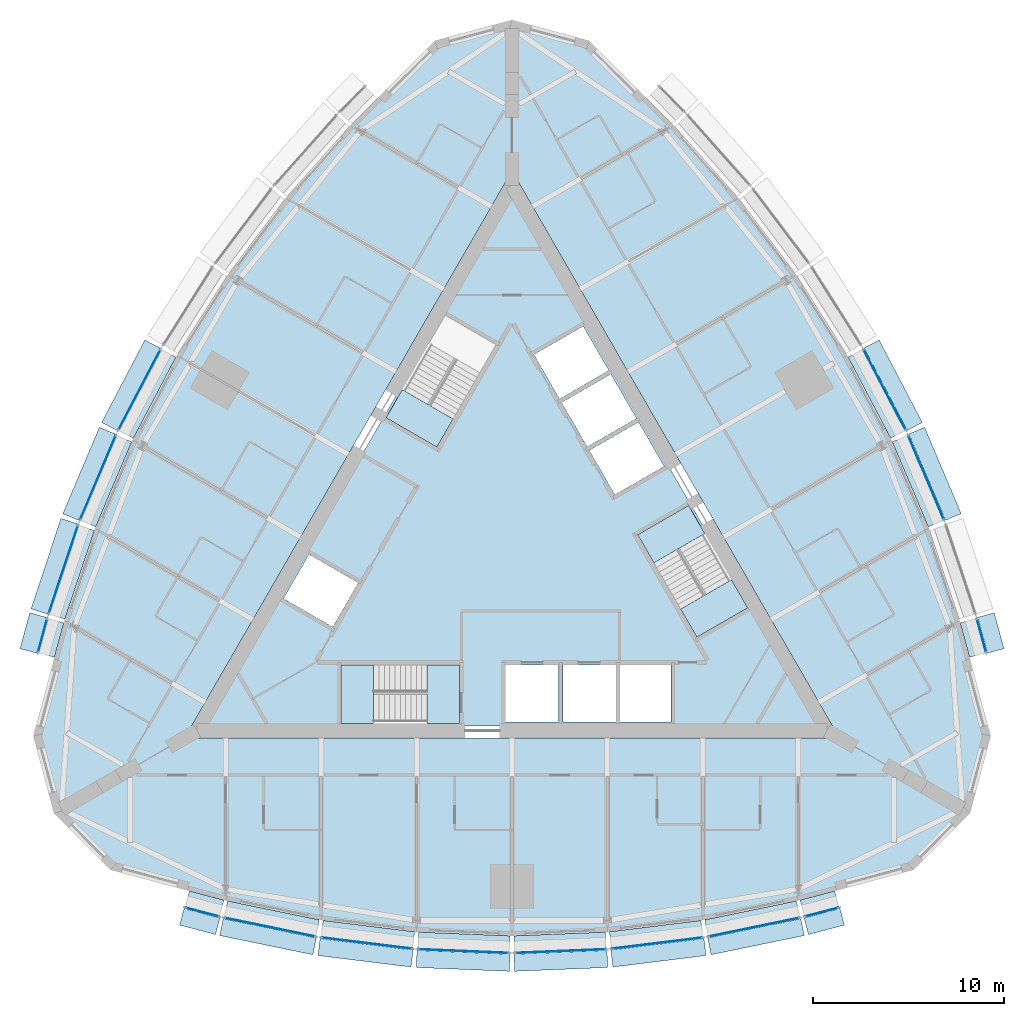
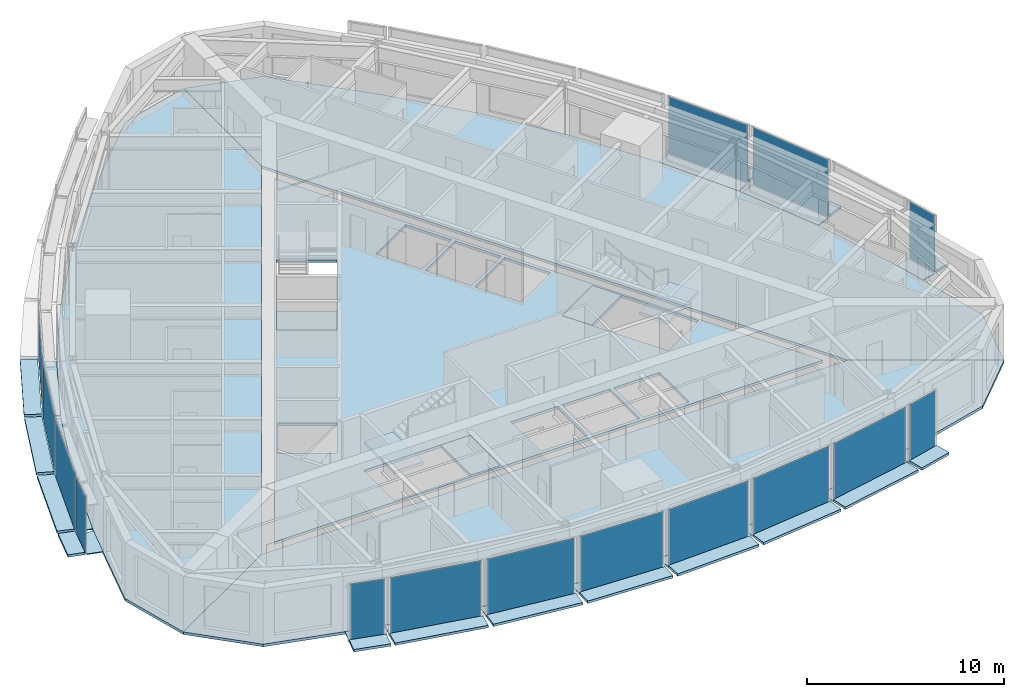
# One storey, part 7 of 15: 45 plates, 9 slabs, 18 elements without a shape of their own.
"""IFC4 building model written with IfcOpenShell, lengths in metres."""

from ifc_helpers import new_model, si_unit, direction, frame, origin, origin_2d, place, context, subcontext, project, spatial, polyline, rectangle, outline, extrude, material, layer, layer_set, type_object, element, aggregate, save


model = new_model("IFC4")

# Units and contexts
model_context = context("Model", 3, precision=1e-05, world=origin(), true_north=direction((0.0, 1.0)))
body_context = subcontext(model_context, "Body", "Model", "MODEL_VIEW")
ifc_project = project(units=[si_unit("LENGTHUNIT", "METRE"), si_unit("AREAUNIT", "SQUARE_METRE"), si_unit("VOLUMEUNIT", "CUBIC_METRE"), si_unit("PLANEANGLEUNIT", "RADIAN"), si_unit("MASSUNIT", "GRAM", prefix="KILO")], contexts=[model_context])

# Site, building, storey
site_placement = place(None, origin())
site = spatial("IfcSite", under=ifc_project, at=site_placement, CompositionType="ELEMENT")
building_placement = place(site_placement, origin())
building = spatial("IfcBuilding", under=site, at=building_placement, Name="Trikona Tower", CompositionType="ELEMENT")
storey_placement = place(building_placement, frame((0.0, 0.0, 211.699951171875)))
storey = spatial("IfcBuildingStorey", under=building, at=storey_placement, Name="L56", CompositionType="ELEMENT", Elevation=211.699951171875)

# Plates
ifc_material_1 = material(Name="Aluminium bar grating", Category="aluminium")
ifc_layer_1 = layer(ifc_material_1, 0.050048828125)
ifc_layer_set_1 = layer_set([ifc_layer_1], Name="Cavity catwalk grating")
plate_type_1 = type_object("IfcPlateType", Name="Cavity catwalk grating", PredefinedType="USERDEFINED", material=ifc_layer_set_1)
plate_1_placement = place(storey_placement, frame((-16.10693359375, -18.5673828125, -0.0498046875), z_axis=(0.0, 0.0, 1.0), x_axis=(0.966993038714, -0.254802792527, 0.0)))
element("IfcPlate", 1, at=plate_1_placement, inside=storey, type_object=plate_type_1, Name="Cavity catwalk L56-00", ObjectType="CATWALK GRATING", PredefinedType="USERDEFINED", context=body_context, shape_type="SweptSolid", body=[
    extrude(rectangle(XDim=1.868408203125, YDim=0.840087890625, at=origin_2d()), origin(), (0.0, 0.0, 1.0), 0.050048828125),
])
plate_2_placement = place(storey_placement, frame((-12.584716796875, -19.35107421875, -0.0498046875), z_axis=(0.0, 0.0, 1.0), x_axis=(0.979457514864, -0.201650629992, 0.0)))
element("IfcPlate", 2, at=plate_2_placement, inside=storey, type_object=plate_type_1, Name="Cavity catwalk L56-01", ObjectType="CATWALK GRATING", PredefinedType="USERDEFINED", context=body_context, shape_type="SweptSolid", body=[
    extrude(rectangle(XDim=4.90478515625, YDim=0.840087890625, at=origin_2d()), origin(), (0.0, 0.0, 1.0), 0.050048828125),
])
plate_3_placement = place(storey_placement, frame((-7.551513671875, -20.179931640625, -0.0498046875), z_axis=(0.0, 0.0, 1.0), x_axis=(0.992455266199, -0.122607277901, 0.0)))
element("IfcPlate", 3, at=plate_3_placement, inside=storey, type_object=plate_type_1, Name="Cavity catwalk L56-02", ObjectType="CATWALK GRATING", PredefinedType="USERDEFINED", context=body_context, shape_type="SweptSolid", body=[
    extrude(rectangle(XDim=4.837890625, YDim=0.840087890625, at=origin_2d()), origin(), (0.0, 0.0, 1.0), 0.050048828125),
])
for number, where, z_axis, x_axis, name in (
    (4, (-2.517333984375, -20.594482421875, -0.0498046875), (0.0, 0.0, 1.0), (0.999153186307, -0.041144991109, 0.0), "Cavity catwalk L56-03"),
    (5, (2.517333984375, -20.594482421875, -0.0498046875), (0.0, 0.0, 1.0), (0.999153186307, 0.041144991109, 0.0), "Cavity catwalk L56-04"),
):
    element("IfcPlate", number, at=place(storey_placement, frame(where, z_axis=z_axis, x_axis=x_axis)), inside=storey, type_object=plate_type_1, Name=name, ObjectType="CATWALK GRATING", PredefinedType="USERDEFINED", context=body_context, shape_type="SweptSolid", body=[
        extrude(rectangle(XDim=4.80419921875, YDim=0.840087890625, at=origin_2d()), origin(), (0.0, 0.0, 1.0), 0.050048828125),
    ])
plate_4_placement = place(storey_placement, frame((7.551513671875, -20.179931640625, -0.0498046875), z_axis=(0.0, 0.0, 1.0), x_axis=(0.992455266199, 0.122607277901, 0.0)))
element("IfcPlate", 6, at=plate_4_placement, inside=storey, type_object=plate_type_1, Name="Cavity catwalk L56-05", ObjectType="CATWALK GRATING", PredefinedType="USERDEFINED", context=body_context, shape_type="SweptSolid", body=[
    extrude(rectangle(XDim=4.837890625, YDim=0.840087890625, at=origin_2d()), origin(), (0.0, 0.0, 1.0), 0.050048828125),
])
plate_5_placement = place(storey_placement, frame((12.584716796875, -19.35107421875, -0.0498046875), z_axis=(0.0, 0.0, 1.0), x_axis=(0.979457514864, 0.201650629992, 0.0)))
element("IfcPlate", 7, at=plate_5_placement, inside=storey, type_object=plate_type_1, Name="Cavity catwalk L56-06", ObjectType="CATWALK GRATING", PredefinedType="USERDEFINED", context=body_context, shape_type="SweptSolid", body=[
    extrude(rectangle(XDim=4.90478515625, YDim=0.840087890625, at=origin_2d()), origin(), (0.0, 0.0, 1.0), 0.050048828125),
])
for number, where, z_axis, x_axis, name in (
    (8, (16.10693359375, -18.5673828125, -0.0498046875), (0.0, 0.0, 1.0), (0.966993038714, 0.254802792527, 0.0), "Cavity catwalk L56-07"),
    (9, (24.13330078125, -4.665283203125, -0.0498046875), (0.0, 0.0, 1.0), (-0.262822408229, 0.964844226667, 0.0), "Cavity catwalk L56-12"),
):
    element("IfcPlate", number, at=place(storey_placement, frame(where, z_axis=z_axis, x_axis=x_axis)), inside=storey, type_object=plate_type_1, Name=name, ObjectType="CATWALK GRATING", PredefinedType="USERDEFINED", context=body_context, shape_type="SweptSolid", body=[
        extrude(rectangle(XDim=1.868408203125, YDim=0.840087890625, at=origin_2d()), origin(), (0.0, 0.0, 1.0), 0.050048828125),
    ])
plate_6_placement = place(storey_placement, frame((21.252197265625, 3.55029296875, -0.0498046875), z_axis=(0.0, 0.0, 1.0), x_axis=(-0.390051437015, 0.920793069306, 0.0)))
element("IfcPlate", 10, at=plate_6_placement, inside=storey, type_object=plate_type_1, Name="Cavity catwalk L56-14", ObjectType="CATWALK GRATING", PredefinedType="USERDEFINED", context=body_context, shape_type="SweptSolid", body=[
    extrude(rectangle(XDim=4.837890625, YDim=0.840087890625, at=origin_2d()), origin(), (0.0, 0.0, 1.0), 0.050048828125),
])
for number, where, z_axis, x_axis, name in (
    (11, (19.093994140625, 8.1171875, -0.0498046875), (0.0, 0.0, 1.0), (-0.463951716224, 0.885860488459, 0.0), "Cavity catwalk L56-15"),
    (12, (-19.093994140625, 8.1171875, -0.0498046875), (0.0, 0.0, 1.0), (-0.463951716224, -0.885860488459, 0.0), "Cavity catwalk L56-28"),
):
    element("IfcPlate", number, at=place(storey_placement, frame(where, z_axis=z_axis, x_axis=x_axis)), inside=storey, type_object=plate_type_1, Name=name, ObjectType="CATWALK GRATING", PredefinedType="USERDEFINED", context=body_context, shape_type="SweptSolid", body=[
        extrude(rectangle(XDim=4.80419921875, YDim=0.840087890625, at=origin_2d()), origin(), (0.0, 0.0, 1.0), 0.050048828125),
    ])
plate_7_placement = place(storey_placement, frame((-21.252197265625, 3.55029296875, -0.0498046875), z_axis=(0.0, 0.0, 1.0), x_axis=(-0.390051437015, -0.920793069306, 0.0)))
element("IfcPlate", 13, at=plate_7_placement, inside=storey, type_object=plate_type_1, Name="Cavity catwalk L56-29", ObjectType="CATWALK GRATING", PredefinedType="USERDEFINED", context=body_context, shape_type="SweptSolid", body=[
    extrude(rectangle(XDim=4.837890625, YDim=0.840087890625, at=origin_2d()), origin(), (0.0, 0.0, 1.0), 0.050048828125),
])
plate_8_placement = place(storey_placement, frame((-23.05078125, -1.22314453125, -0.0498046875), z_axis=(0.0, 0.0, 1.0), x_axis=(-0.315092532747, -0.949060954737, 0.0)))
element("IfcPlate", 14, at=plate_8_placement, inside=storey, type_object=plate_type_1, Name="Cavity catwalk L56-30", ObjectType="CATWALK GRATING", PredefinedType="USERDEFINED", context=body_context, shape_type="SweptSolid", body=[
    extrude(rectangle(XDim=4.90478515625, YDim=0.840087890625, at=origin_2d()), origin(), (0.0, 0.0, 1.0), 0.050048828125),
])
plate_9_placement = place(storey_placement, frame((-24.13330078125, -4.665283203125, -0.0498046875), z_axis=(0.0, 0.0, 1.0), x_axis=(-0.262822408229, -0.964844226667, 0.0)))
element("IfcPlate", 15, at=plate_9_placement, inside=storey, type_object=plate_type_1, Name="Cavity catwalk L56-31", ObjectType="CATWALK GRATING", PredefinedType="USERDEFINED", context=body_context, shape_type="SweptSolid", body=[
    extrude(rectangle(XDim=1.868408203125, YDim=0.840087890625, at=origin_2d()), origin(), (0.0, 0.0, 1.0), 0.050048828125),
])

# Slabs
ifc_material_2 = material(Name="Concrete f'c 5000 psi lightweight on composite steel deck", Category="concrete")
ifc_layer_2 = layer(ifc_material_2, 0.1650390625)
ifc_layer_set_2 = layer_set([ifc_layer_2], Name="Composite floor slab 165")
slab_type_1 = type_object("IfcSlabType", Name="Composite floor slab 165", PredefinedType="FLOOR", material=ifc_layer_set_2)
slab_1_placement = place(storey_placement, frame((0.0, 0.0, -0.1650390625)))
element("IfcSlab", 16, at=slab_1_placement, inside=storey, type_object=slab_type_1, Name="Floor slab L56 core", PredefinedType="FLOOR", context=body_context, shape_type="SweptSolid", body=[
    extrude(outline(polyline([(-16.06689453125, -9.2763671875), (16.06689453125, -9.2763671875), (0.0, 18.552490234375), (-16.06689453125, -9.2763671875)]), holes=[polyline([(6.587158203125, 0.7431640625), (9.687255859375, -4.626220703125), (12.35009765625, -3.088623046875), (9.250244140625, 2.28076171875), (6.587158203125, 0.7431640625)]), polyline([(5.659912109375, -6.086181640625), (5.659912109375, -9.06640625), (8.340087890625, -9.06640625), (8.340087890625, -6.086181640625), (5.659912109375, -6.086181640625)]), polyline([(6.631591796875, 6.646240234375), (4.05078125, 5.15625), (5.390869140625, 2.835205078125), (7.9716796875, 4.3251953125), (6.631591796875, 6.646240234375)]), polyline([(6.521484375, 6.8369140625), (5.181640625, 9.15771484375), (2.600830078125, 7.667724609375), (3.94091796875, 5.3466796875), (6.521484375, 6.8369140625)]), polyline([(2.659912109375, -9.06640625), (5.43994140625, -9.06640625), (5.43994140625, -6.086181640625), (2.659912109375, -6.086181640625), (2.659912109375, -9.06640625)]), polyline([(2.490966796875, 7.858154296875), (5.071533203125, 9.34814453125), (3.731689453125, 11.669189453125), (1.15087890625, 10.17919921875), (2.490966796875, 7.858154296875)]), polyline([(2.43994140625, -9.06640625), (2.43994140625, -6.086181640625), (-0.340087890625, -6.086181640625), (-0.340087890625, -9.06640625), (2.43994140625, -9.06640625)]), polyline([(-3.937255859375, 5.3330078125), (-0.837158203125, 10.702392578125), (-3.500244140625, 12.239990234375), (-6.60009765625, 6.87060546875), (-3.937255859375, 5.3330078125)]), polyline([(-2.75, -6.076416015625), (-8.949951171875, -6.076416015625), (-8.949951171875, -9.1513671875), (-2.75, -9.1513671875), (-2.75, -6.076416015625)]), polyline([(-11.9716796875, -2.602783203125), (-9.390869140625, -4.093017578125), (-8.05078125, -1.77197265625), (-10.631591796875, -0.281982421875), (-11.9716796875, -2.602783203125)])]), origin(), (0.0, 0.0, 1.0), 0.1650390625),
])
slab_2_placement = place(storey_placement, frame((0.0, 0.0, -0.1650390625)))
element("IfcSlab", 17, at=slab_2_placement, inside=storey, type_object=slab_type_1, Name="Floor slab L56 south", PredefinedType="FLOOR", context=body_context, shape_type="SweptSolid", body=[
    extrude(outline(polyline([(21.04150390625, -16.81494140625), (24.0, -13.8564453125), (17.1494140625, -9.9013671875), (-17.1494140625, -9.9013671875), (-24.0, -13.8564453125), (-21.04150390625, -16.81494140625), (-17.0, -17.89794921875), (-15.0, -18.4248046875), (-10.0, -19.454345703125), (-5.0, -20.072021484375), (0.0, -20.27783203125), (5.0, -20.072021484375), (10.0, -19.454345703125), (15.0, -18.4248046875), (17.0, -17.89794921875), (21.04150390625, -16.81494140625)])), origin(), (0.0, 0.0, 1.0), 0.1650390625),
])
slab_3_placement = place(storey_placement, frame((0.0, 0.0, -0.1650390625)))
element("IfcSlab", 18, at=slab_3_placement, inside=storey, type_object=slab_type_1, Name="Floor slab L56 north-east", PredefinedType="FLOOR", context=body_context, shape_type="SweptSolid", body=[
    extrude(outline(polyline([(4.04150390625, 26.6298828125), (0.0, 27.712890625), (0.0, 19.802490234375), (17.1494140625, -9.9013671875), (24.0, -13.8564453125), (25.0830078125, -9.81494140625), (24.0, -5.7734375), (23.456298828125, -3.77783203125), (21.847900390625, 1.06689453125), (19.8828125, 5.705810546875), (17.56103515625, 10.138916015625), (14.8828125, 14.3662109375), (11.847900390625, 18.387451171875), (8.456298828125, 22.202880859375), (7.0, 23.67138671875), (4.04150390625, 26.6298828125)])), origin(), (0.0, 0.0, 1.0), 0.1650390625),
])
slab_4_placement = place(storey_placement, frame((0.0, 0.0, -0.1650390625)))
element("IfcSlab", 19, at=slab_4_placement, inside=storey, type_object=slab_type_1, Name="Floor slab L56 north-west", PredefinedType="FLOOR", context=body_context, shape_type="SweptSolid", body=[
    extrude(outline(polyline([(-7.0, 23.67138671875), (-8.456298828125, 22.202880859375), (-11.847900390625, 18.387451171875), (-14.8828125, 14.3662109375), (-17.56103515625, 10.138916015625), (-19.8828125, 5.705810546875), (-21.847900390625, 1.06689453125), (-23.456298828125, -3.77783203125), (-24.0, -5.7734375), (-25.0830078125, -9.81494140625), (-24.0, -13.8564453125), (-17.1494140625, -9.9013671875), (0.0, 19.802490234375), (0.0, 27.712890625), (-4.04150390625, 26.6298828125), (-7.0, 23.67138671875)])), origin(), (0.0, 0.0, 1.0), 0.1650390625),
])

# Curtain wall, plate
ifc_material_3 = material(Name="Aluminium curtain wall system", Category="aluminium")
curtain_wall_type = type_object("IfcCurtainWallType", Name="Curtain wall DS3", PredefinedType="NOTDEFINED", material=ifc_material_3)
curtain_wall_1_placement = place(storey_placement, origin())
curtain_wall_1 = element("IfcCurtainWall", 20, at=curtain_wall_1_placement, inside=storey, type_object=curtain_wall_type, Name="Curtain wall DS3 L56", PredefinedType="NOTDEFINED")
ifc_material_4 = material(Name="Laminated clear glass", Category="glass")
ifc_layer_3 = layer(ifc_material_4, 0.028076171875)
ifc_layer_set_3 = layer_set([ifc_layer_3], Name="Glass panel DS3")
plate_type_2 = type_object("IfcPlateType", Name="Glass panel DS3", PredefinedType="CURTAIN_PANEL", material=ifc_layer_set_3)
plate_10_placement = place(storey_placement, frame((-16.229248046875, -19.03173828125, 0.0), z_axis=(0.0, 0.0, 1.0), x_axis=(0.966997369647, -0.25478635579, 0.0)))
plate_10 = element("IfcPlate", 21, at=plate_10_placement, type_object=plate_type_2, Name="CW-DS3 panel 1.1", PredefinedType="CURTAIN_PANEL", context=body_context, shape_type="SweptSolid", body=[
    extrude(rectangle(XDim=1.808349609375, YDim=0.028076171875, at=origin_2d()), origin(), (0.0, 0.0, 1.0), 3.530029296875),
])
aggregate(curtain_wall_1, [plate_10])

curtain_wall_2_placement = place(storey_placement, origin())
curtain_wall_2 = element("IfcCurtainWall", 22, at=curtain_wall_2_placement, inside=storey, type_object=curtain_wall_type, Name="Curtain wall DS3 L56", PredefinedType="NOTDEFINED")
plate_11_placement = place(storey_placement, frame((-12.681396484375, -19.821044921875, 0.0), z_axis=(0.0, 0.0, 1.0), x_axis=(0.979457043256, -0.201652920672, 0.0)))
plate_11 = element("IfcPlate", 23, at=plate_11_placement, type_object=plate_type_2, Name="CW-DS3 panel 1.1", PredefinedType="CURTAIN_PANEL", context=body_context, shape_type="SweptSolid", body=[
    extrude(rectangle(XDim=4.8447265625, YDim=0.028076171875, at=origin_2d()), origin(), (0.0, 0.0, 1.0), 3.530029296875),
])
aggregate(curtain_wall_2, [plate_11])

curtain_wall_3_placement = place(storey_placement, origin())
curtain_wall_3 = element("IfcCurtainWall", 24, at=curtain_wall_3_placement, inside=storey, type_object=curtain_wall_type, Name="Curtain wall DS3 L56", PredefinedType="NOTDEFINED")
plate_12_placement = place(storey_placement, frame((-7.6103515625, -20.656494140625, 0.0), z_axis=(0.0, 0.0, 1.0), x_axis=(0.992454850785, -0.122610640458, 0.0)))
plate_12 = element("IfcPlate", 25, at=plate_12_placement, type_object=plate_type_2, Name="CW-DS3 panel 1.1", PredefinedType="CURTAIN_PANEL", context=body_context, shape_type="SweptSolid", body=[
    extrude(rectangle(XDim=4.778076171875, YDim=0.028076171875, at=origin_2d()), origin(), (0.0, 0.0, 1.0), 3.530029296875),
])
aggregate(curtain_wall_3, [plate_12])

curtain_wall_4_placement = place(storey_placement, origin())
curtain_wall_4 = element("IfcCurtainWall", 26, at=curtain_wall_4_placement, inside=storey, type_object=curtain_wall_type, Name="Curtain wall DS3 L56", PredefinedType="NOTDEFINED")
plate_13_placement = place(storey_placement, frame((-2.537109375, -21.07421875, 0.0), z_axis=(0.0, 0.0, 1.0), x_axis=(0.999152865157, -0.04115278907, 0.0)))
plate_13 = element("IfcPlate", 27, at=plate_13_placement, type_object=plate_type_2, Name="CW-DS3 panel 1.1", PredefinedType="CURTAIN_PANEL", context=body_context, shape_type="SweptSolid", body=[
    extrude(rectangle(XDim=4.744140625, YDim=0.028076171875, at=origin_2d()), origin(), (0.0, 0.0, 1.0), 3.530029296875),
])
aggregate(curtain_wall_4, [plate_13])

curtain_wall_5_placement = place(storey_placement, origin())
curtain_wall_5 = element("IfcCurtainWall", 28, at=curtain_wall_5_placement, inside=storey, type_object=curtain_wall_type, Name="Curtain wall DS3 L56", PredefinedType="NOTDEFINED")
plate_14_placement = place(storey_placement, frame((2.537109375, -21.07421875, 0.0), z_axis=(0.0, 0.0, 1.0), x_axis=(0.999152865157, 0.04115278907, 0.0)))
plate_14 = element("IfcPlate", 29, at=plate_14_placement, type_object=plate_type_2, Name="CW-DS3 panel 1.1", PredefinedType="CURTAIN_PANEL", context=body_context, shape_type="SweptSolid", body=[
    extrude(rectangle(XDim=4.744140625, YDim=0.028076171875, at=origin_2d()), origin(), (0.0, 0.0, 1.0), 3.530029296875),
])
aggregate(curtain_wall_5, [plate_14])

curtain_wall_6_placement = place(storey_placement, origin())
curtain_wall_6 = element("IfcCurtainWall", 30, at=curtain_wall_6_placement, inside=storey, type_object=curtain_wall_type, Name="Curtain wall DS3 L56", PredefinedType="NOTDEFINED")
plate_15_placement = place(storey_placement, frame((7.6103515625, -20.656494140625, 0.0), z_axis=(0.0, 0.0, 1.0), x_axis=(0.992454850785, 0.122610640458, 0.0)))
plate_15 = element("IfcPlate", 31, at=plate_15_placement, type_object=plate_type_2, Name="CW-DS3 panel 1.1", PredefinedType="CURTAIN_PANEL", context=body_context, shape_type="SweptSolid", body=[
    extrude(rectangle(XDim=4.778076171875, YDim=0.028076171875, at=origin_2d()), origin(), (0.0, 0.0, 1.0), 3.530029296875),
])
aggregate(curtain_wall_6, [plate_15])

curtain_wall_7_placement = place(storey_placement, origin())
curtain_wall_7 = element("IfcCurtainWall", 32, at=curtain_wall_7_placement, inside=storey, type_object=curtain_wall_type, Name="Curtain wall DS3 L56", PredefinedType="NOTDEFINED")
plate_16_placement = place(storey_placement, frame((12.681396484375, -19.821044921875, 0.0), z_axis=(0.0, 0.0, 1.0), x_axis=(0.979457043256, 0.201652920672, 0.0)))
plate_16 = element("IfcPlate", 33, at=plate_16_placement, type_object=plate_type_2, Name="CW-DS3 panel 1.1", PredefinedType="CURTAIN_PANEL", context=body_context, shape_type="SweptSolid", body=[
    extrude(rectangle(XDim=4.8447265625, YDim=0.028076171875, at=origin_2d()), origin(), (0.0, 0.0, 1.0), 3.530029296875),
])
aggregate(curtain_wall_7, [plate_16])

curtain_wall_8_placement = place(storey_placement, origin())
curtain_wall_8 = element("IfcCurtainWall", 34, at=curtain_wall_8_placement, inside=storey, type_object=curtain_wall_type, Name="Curtain wall DS3 L56", PredefinedType="NOTDEFINED")
plate_17_placement = place(storey_placement, frame((16.229248046875, -19.03173828125, 0.0), z_axis=(0.0, 0.0, 1.0), x_axis=(0.966997369647, 0.25478635579, 0.0)))
plate_17 = element("IfcPlate", 35, at=plate_17_placement, type_object=plate_type_2, Name="CW-DS3 panel 1.1", PredefinedType="CURTAIN_PANEL", context=body_context, shape_type="SweptSolid", body=[
    extrude(rectangle(XDim=1.808349609375, YDim=0.028076171875, at=origin_2d()), origin(), (0.0, 0.0, 1.0), 3.530029296875),
])
aggregate(curtain_wall_8, [plate_17])

curtain_wall_9_placement = place(storey_placement, origin())
curtain_wall_9 = element("IfcCurtainWall", 36, at=curtain_wall_9_placement, inside=storey, type_object=curtain_wall_type, Name="Curtain wall DS3 L56", PredefinedType="NOTDEFINED")
plate_18_placement = place(storey_placement, frame((24.596435546875, -4.539306640625, 0.0), z_axis=(0.0, 0.0, 1.0), x_axis=(-0.262843784676, 0.964838403494, 0.0)))
plate_18 = element("IfcPlate", 37, at=plate_18_placement, type_object=plate_type_2, Name="CW-DS3 panel 1.1", PredefinedType="CURTAIN_PANEL", context=body_context, shape_type="SweptSolid", body=[
    extrude(rectangle(XDim=1.808349609375, YDim=0.028076171875, at=origin_2d()), origin(), (0.0, 0.0, 1.0), 3.530029296875),
])
aggregate(curtain_wall_9, [plate_18])

curtain_wall_10_placement = place(storey_placement, origin())
curtain_wall_10 = element("IfcCurtainWall", 38, at=curtain_wall_10_placement, inside=storey, type_object=curtain_wall_type, Name="Curtain wall DS3 L56", PredefinedType="NOTDEFINED")
plate_19_placement = place(storey_placement, frame((21.694091796875, 3.737548828125, 0.0), z_axis=(0.0, 0.0, 1.0), x_axis=(-0.390053199266, 0.920792322808, 0.0)))
plate_19 = element("IfcPlate", 39, at=plate_19_placement, type_object=plate_type_2, Name="CW-DS3 panel 1.1", PredefinedType="CURTAIN_PANEL", context=body_context, shape_type="SweptSolid", body=[
    extrude(rectangle(XDim=4.778076171875, YDim=0.028076171875, at=origin_2d()), origin(), (0.0, 0.0, 1.0), 3.530029296875),
])
aggregate(curtain_wall_10, [plate_19])

curtain_wall_11_placement = place(storey_placement, origin())
curtain_wall_11 = element("IfcCurtainWall", 40, at=curtain_wall_11_placement, inside=storey, type_object=curtain_wall_type, Name="Curtain wall DS3 L56", PredefinedType="NOTDEFINED")
plate_20_placement = place(storey_placement, frame((19.519287109375, 8.33984375, 0.0), z_axis=(0.0, 0.0, 1.0), x_axis=(-0.463948084434, 0.885862390527, 0.0)))
plate_20 = element("IfcPlate", 41, at=plate_20_placement, type_object=plate_type_2, Name="CW-DS3 panel 1.1", PredefinedType="CURTAIN_PANEL", context=body_context, shape_type="SweptSolid", body=[
    extrude(rectangle(XDim=4.744140625, YDim=0.028076171875, at=origin_2d()), origin(), (0.0, 0.0, 1.0), 3.530029296875),
])
aggregate(curtain_wall_11, [plate_20])

curtain_wall_12_placement = place(storey_placement, origin())
curtain_wall_12 = element("IfcCurtainWall", 42, at=curtain_wall_12_placement, inside=storey, type_object=curtain_wall_type, Name="Curtain wall DS3 L56", PredefinedType="NOTDEFINED")
plate_21_placement = place(storey_placement, frame((-19.519287109375, 8.33984375, 0.0), z_axis=(0.0, 0.0, 1.0), x_axis=(-0.463948084434, -0.885862390527, 0.0)))
plate_21 = element("IfcPlate", 43, at=plate_21_placement, type_object=plate_type_2, Name="CW-DS3 panel 1.1", PredefinedType="CURTAIN_PANEL", context=body_context, shape_type="SweptSolid", body=[
    extrude(rectangle(XDim=4.744140625, YDim=0.028076171875, at=origin_2d()), origin(), (0.0, 0.0, 1.0), 3.530029296875),
])
aggregate(curtain_wall_12, [plate_21])

curtain_wall_13_placement = place(storey_placement, origin())
curtain_wall_13 = element("IfcCurtainWall", 44, at=curtain_wall_13_placement, inside=storey, type_object=curtain_wall_type, Name="Curtain wall DS3 L56", PredefinedType="NOTDEFINED")
plate_22_placement = place(storey_placement, frame((-21.694091796875, 3.737548828125, 0.0), z_axis=(0.0, 0.0, 1.0), x_axis=(-0.390053199266, -0.920792322808, 0.0)))
plate_22 = element("IfcPlate", 45, at=plate_22_placement, type_object=plate_type_2, Name="CW-DS3 panel 1.1", PredefinedType="CURTAIN_PANEL", context=body_context, shape_type="SweptSolid", body=[
    extrude(rectangle(XDim=4.778076171875, YDim=0.028076171875, at=origin_2d()), origin(), (0.0, 0.0, 1.0), 3.530029296875),
])
aggregate(curtain_wall_13, [plate_22])

curtain_wall_14_placement = place(storey_placement, origin())
curtain_wall_14 = element("IfcCurtainWall", 46, at=curtain_wall_14_placement, inside=storey, type_object=curtain_wall_type, Name="Curtain wall DS3 L56", PredefinedType="NOTDEFINED")
plate_23_placement = place(storey_placement, frame((-23.50634765625, -1.072021484375, 0.0), z_axis=(0.0, 0.0, 1.0), x_axis=(-0.315078038687, -0.949065766708, 0.0)))
plate_23 = element("IfcPlate", 47, at=plate_23_placement, type_object=plate_type_2, Name="CW-DS3 panel 1.1", PredefinedType="CURTAIN_PANEL", context=body_context, shape_type="SweptSolid", body=[
    extrude(rectangle(XDim=4.8447265625, YDim=0.028076171875, at=origin_2d()), origin(), (0.0, 0.0, 1.0), 3.530029296875),
])
aggregate(curtain_wall_14, [plate_23])

curtain_wall_15_placement = place(storey_placement, origin())
curtain_wall_15 = element("IfcCurtainWall", 48, at=curtain_wall_15_placement, inside=storey, type_object=curtain_wall_type, Name="Curtain wall DS3 L56", PredefinedType="NOTDEFINED")
plate_24_placement = place(storey_placement, frame((-24.596435546875, -4.539306640625, 0.0), z_axis=(0.0, 0.0, 1.0), x_axis=(-0.262843784676, -0.964838403494, 0.0)))
plate_24 = element("IfcPlate", 49, at=plate_24_placement, type_object=plate_type_2, Name="CW-DS3 panel 1.1", PredefinedType="CURTAIN_PANEL", context=body_context, shape_type="SweptSolid", body=[
    extrude(rectangle(XDim=1.808349609375, YDim=0.028076171875, at=origin_2d()), origin(), (0.0, 0.0, 1.0), 3.530029296875),
])
aggregate(curtain_wall_15, [plate_24])

# Plates
ifc_material_5 = material(Name="Aluminium plate fin, pale anodised, on stainless steel outriggers", Category="steel")
ifc_layer_4 = layer(ifc_material_5, 0.14990234375)
ifc_layer_set_4 = layer_set([ifc_layer_4], Name="Outer skin fin 900")
plate_type_3 = type_object("IfcPlateType", Name="Outer skin fin 900", PredefinedType="USERDEFINED", material=ifc_layer_set_4)
plate_25_placement = place(storey_placement, frame((-16.359375, -19.52490234375, 0.0), z_axis=(0.0, 0.0, 1.0), x_axis=(0.966993038714, -0.254802792527, 0.0)))
element("IfcPlate", 50, at=plate_25_placement, inside=storey, type_object=plate_type_3, Name="Outer skin fin L56-00", ObjectType="FIN", PredefinedType="USERDEFINED", context=body_context, shape_type="SweptSolid", body=[
    extrude(rectangle(XDim=1.9482421875, YDim=0.89990234375, at=origin_2d()), origin(), (0.0, 0.0, 1.0), 0.14990234375),
])
plate_26_placement = place(storey_placement, frame((-12.7841796875, -20.320556640625, 0.0), z_axis=(0.0, 0.0, 1.0), x_axis=(0.979457514864, -0.201650629992, 0.0)))
element("IfcPlate", 51, at=plate_26_placement, inside=storey, type_object=plate_type_3, Name="Outer skin fin L56-01", ObjectType="FIN", PredefinedType="USERDEFINED", context=body_context, shape_type="SweptSolid", body=[
    extrude(rectangle(XDim=4.98486328125, YDim=0.89990234375, at=origin_2d()), origin(), (0.0, 0.0, 1.0), 0.14990234375),
])
plate_27_placement = place(storey_placement, frame((-7.6728515625, -21.16259765625, 0.0), z_axis=(0.0, 0.0, 1.0), x_axis=(0.992455266199, -0.122607277901, 0.0)))
element("IfcPlate", 52, at=plate_27_placement, inside=storey, type_object=plate_type_3, Name="Outer skin fin L56-02", ObjectType="FIN", PredefinedType="USERDEFINED", context=body_context, shape_type="SweptSolid", body=[
    extrude(rectangle(XDim=4.91796875, YDim=0.89990234375, at=origin_2d()), origin(), (0.0, 0.0, 1.0), 0.14990234375),
])
for number, where, z_axis, x_axis, name in (
    (53, (-2.55810546875, -21.583740234375, 0.0), (0.0, 0.0, 1.0), (0.999153186307, -0.041144991109, 0.0), "Outer skin fin L56-03"),
    (54, (2.55810546875, -21.583740234375, 0.0), (0.0, 0.0, 1.0), (0.999153186307, 0.041144991109, 0.0), "Outer skin fin L56-04"),
):
    element("IfcPlate", number, at=place(storey_placement, frame(where, z_axis=z_axis, x_axis=x_axis)), inside=storey, type_object=plate_type_3, Name=name, ObjectType="FIN", PredefinedType="USERDEFINED", context=body_context, shape_type="SweptSolid", body=[
        extrude(rectangle(XDim=4.88427734375, YDim=0.89990234375, at=origin_2d()), origin(), (0.0, 0.0, 1.0), 0.14990234375),
    ])
plate_28_placement = place(storey_placement, frame((7.6728515625, -21.16259765625, 0.0), z_axis=(0.0, 0.0, 1.0), x_axis=(0.992455266199, 0.122607277901, 0.0)))
element("IfcPlate", 55, at=plate_28_placement, inside=storey, type_object=plate_type_3, Name="Outer skin fin L56-05", ObjectType="FIN", PredefinedType="USERDEFINED", context=body_context, shape_type="SweptSolid", body=[
    extrude(rectangle(XDim=4.91796875, YDim=0.89990234375, at=origin_2d()), origin(), (0.0, 0.0, 1.0), 0.14990234375),
])
plate_29_placement = place(storey_placement, frame((12.7841796875, -20.320556640625, 0.0), z_axis=(0.0, 0.0, 1.0), x_axis=(0.979457514864, 0.201650629992, 0.0)))
element("IfcPlate", 56, at=plate_29_placement, inside=storey, type_object=plate_type_3, Name="Outer skin fin L56-06", ObjectType="FIN", PredefinedType="USERDEFINED", context=body_context, shape_type="SweptSolid", body=[
    extrude(rectangle(XDim=4.98486328125, YDim=0.89990234375, at=origin_2d()), origin(), (0.0, 0.0, 1.0), 0.14990234375),
])
for number, where, z_axis, x_axis, name in (
    (57, (16.359375, -19.52490234375, 0.0), (0.0, 0.0, 1.0), (0.966993038714, 0.254802792527, 0.0), "Outer skin fin L56-07"),
    (58, (25.088623046875, -4.405029296875, 0.0), (0.0, 0.0, 1.0), (-0.262822408229, 0.964844226667, 0.0), "Outer skin fin L56-12"),
):
    element("IfcPlate", number, at=place(storey_placement, frame(where, z_axis=z_axis, x_axis=x_axis)), inside=storey, type_object=plate_type_3, Name=name, ObjectType="FIN", PredefinedType="USERDEFINED", context=body_context, shape_type="SweptSolid", body=[
        extrude(rectangle(XDim=1.9482421875, YDim=0.89990234375, at=origin_2d()), origin(), (0.0, 0.0, 1.0), 0.14990234375),
    ])
plate_30_placement = place(storey_placement, frame((22.163818359375, 3.936279296875, 0.0), z_axis=(0.0, 0.0, 1.0), x_axis=(-0.390051437015, 0.920793069306, 0.0)))
element("IfcPlate", 59, at=plate_30_placement, inside=storey, type_object=plate_type_3, Name="Outer skin fin L56-14", ObjectType="FIN", PredefinedType="USERDEFINED", context=body_context, shape_type="SweptSolid", body=[
    extrude(rectangle(XDim=4.91796875, YDim=0.89990234375, at=origin_2d()), origin(), (0.0, 0.0, 1.0), 0.14990234375),
])
for number, where, z_axis, x_axis, name in (
    (60, (19.970947265625, 8.57666015625, 0.0), (0.0, 0.0, 1.0), (-0.463951716224, 0.885860488459, 0.0), "Outer skin fin L56-15"),
    (61, (-19.970947265625, 8.57666015625, 0.0), (0.0, 0.0, 1.0), (-0.463951716224, -0.885860488459, 0.0), "Outer skin fin L56-28"),
):
    element("IfcPlate", number, at=place(storey_placement, frame(where, z_axis=z_axis, x_axis=x_axis)), inside=storey, type_object=plate_type_3, Name=name, ObjectType="FIN", PredefinedType="USERDEFINED", context=body_context, shape_type="SweptSolid", body=[
        extrude(rectangle(XDim=4.88427734375, YDim=0.89990234375, at=origin_2d()), origin(), (0.0, 0.0, 1.0), 0.14990234375),
    ])
plate_31_placement = place(storey_placement, frame((-22.163818359375, 3.936279296875, 0.0), z_axis=(0.0, 0.0, 1.0), x_axis=(-0.390051437015, -0.920793069306, 0.0)))
element("IfcPlate", 62, at=plate_31_placement, inside=storey, type_object=plate_type_3, Name="Outer skin fin L56-29", ObjectType="FIN", PredefinedType="USERDEFINED", context=body_context, shape_type="SweptSolid", body=[
    extrude(rectangle(XDim=4.91796875, YDim=0.89990234375, at=origin_2d()), origin(), (0.0, 0.0, 1.0), 0.14990234375),
])
plate_32_placement = place(storey_placement, frame((-23.990234375, -0.9111328125, 0.0), z_axis=(0.0, 0.0, 1.0), x_axis=(-0.315092532747, -0.949060954737, 0.0)))
element("IfcPlate", 63, at=plate_32_placement, inside=storey, type_object=plate_type_3, Name="Outer skin fin L56-30", ObjectType="FIN", PredefinedType="USERDEFINED", context=body_context, shape_type="SweptSolid", body=[
    extrude(rectangle(XDim=4.98486328125, YDim=0.89990234375, at=origin_2d()), origin(), (0.0, 0.0, 1.0), 0.14990234375),
])
plate_33_placement = place(storey_placement, frame((-25.088623046875, -4.405029296875, 0.0), z_axis=(0.0, 0.0, 1.0), x_axis=(-0.262822408229, -0.964844226667, 0.0)))
element("IfcPlate", 64, at=plate_33_placement, inside=storey, type_object=plate_type_3, Name="Outer skin fin L56-31", ObjectType="FIN", PredefinedType="USERDEFINED", context=body_context, shape_type="SweptSolid", body=[
    extrude(rectangle(XDim=1.9482421875, YDim=0.89990234375, at=origin_2d()), origin(), (0.0, 0.0, 1.0), 0.14990234375),
])

# Stair, slabs
ifc_material_6 = material(Name="Concrete f'c 5000 psi", Category="concrete")
stair_type = type_object("IfcStairType", Name="Core stair", PredefinedType="HALF_TURN_STAIR", material=ifc_material_6)
stair_1_placement = place(storey_placement, origin())
stair_1 = element("IfcStair", 65, at=stair_1_placement, inside=storey, type_object=stair_type, Name="Stair A L56", PredefinedType="HALF_TURN_STAIR")
ifc_material_7 = material(Name="Concrete f'c 5000 psi", Category="concrete")
ifc_layer_5 = layer(ifc_material_7, 0.199951171875)
ifc_layer_set_5 = layer_set([ifc_layer_5], Name="Stair landing 200")
slab_type_2 = type_object("IfcSlabType", Name="Stair landing 200", PredefinedType="LANDING", material=ifc_layer_set_5)
slab_5_placement = place(storey_placement, frame((0.0, 0.0, -0.199951171875)))
slab_5 = element("IfcSlab", 66, at=slab_5_placement, type_object=slab_type_2, Name="ST-A landing 1", PredefinedType="LANDING", context=body_context, shape_type="SweptSolid", body=[
    extrude(outline(polyline([(-4.452880859375, -6.076416015625), (-2.75, -6.076416015625), (-2.75, -9.1513671875), (-4.452880859375, -9.1513671875), (-4.452880859375, -6.076416015625)])), origin(), (0.0, 0.0, 1.0), 0.199951171875),
])
slab_6_placement = place(storey_placement, frame((0.0, 0.0, 1.60009765625)))
slab_6 = element("IfcSlab", 67, at=slab_6_placement, type_object=slab_type_2, Name="ST-A landing 2", PredefinedType="LANDING", context=body_context, shape_type="SweptSolid", body=[
    extrude(outline(polyline([(-8.949951171875, -6.076416015625), (-7.2470703125, -6.076416015625), (-7.2470703125, -9.1513671875), (-8.949951171875, -9.1513671875), (-8.949951171875, -6.076416015625)])), origin(), (0.0, 0.0, 1.0), 0.199951171875),
])
aggregate(stair_1, [slab_5, slab_6])

stair_2_placement = place(storey_placement, origin())
stair_2 = element("IfcStair", 68, at=stair_2_placement, inside=storey, type_object=stair_type, Name="Stair B L56", PredefinedType="HALF_TURN_STAIR")
slab_7_placement = place(storey_placement, frame((0.0, 0.0, -0.199951171875)))
slab_7 = element("IfcSlab", 69, at=slab_7_placement, type_object=slab_type_2, Name="ST-B landing 1", PredefinedType="LANDING", context=body_context, shape_type="SweptSolid", body=[
    extrude(outline(polyline([(7.438720703125, -0.731689453125), (6.587158203125, 0.7431640625), (9.250244140625, 2.28076171875), (10.101806640625, 0.805908203125), (7.438720703125, -0.731689453125)])), origin(), (0.0, 0.0, 1.0), 0.199951171875),
])
slab_8_placement = place(storey_placement, frame((0.0, 0.0, 1.60009765625)))
slab_8 = element("IfcSlab", 70, at=slab_8_placement, type_object=slab_type_2, Name="ST-B landing 2", PredefinedType="LANDING", context=body_context, shape_type="SweptSolid", body=[
    extrude(outline(polyline([(9.687255859375, -4.626220703125), (8.835693359375, -3.1513671875), (11.498779296875, -1.61376953125), (12.35009765625, -3.088623046875), (9.687255859375, -4.626220703125)])), origin(), (0.0, 0.0, 1.0), 0.199951171875),
])
aggregate(stair_2, [slab_7, slab_8])

# Stair, slab
stair_3_placement = place(storey_placement, origin())
stair_3 = element("IfcStair", 71, at=stair_3_placement, inside=storey, type_object=stair_type, Name="Stair C L56", PredefinedType="HALF_TURN_STAIR")
slab_9_placement = place(storey_placement, frame((0.0, 0.0, -0.199951171875)))
slab_9 = element("IfcSlab", 72, at=slab_9_placement, type_object=slab_type_2, Name="ST-C landing 1", PredefinedType="LANDING", context=body_context, shape_type="SweptSolid", body=[
    extrude(outline(polyline([(-3.085693359375, 6.807861328125), (-3.937255859375, 5.3330078125), (-6.60009765625, 6.87060546875), (-5.748779296875, 8.345458984375), (-3.085693359375, 6.807861328125)])), origin(), (0.0, 0.0, 1.0), 0.199951171875),
])
aggregate(stair_3, [slab_9])

save(model, "model.ifc")
